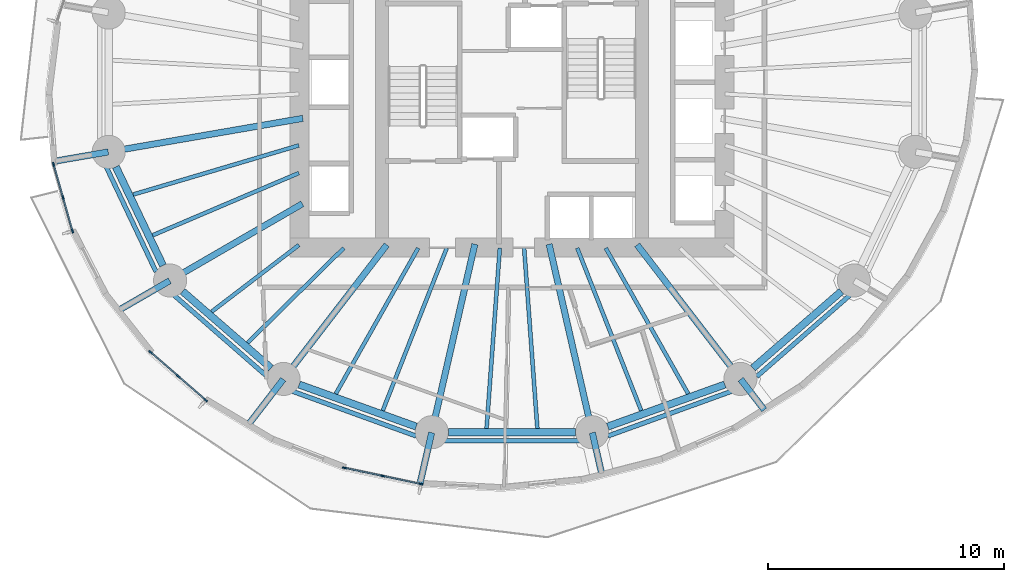
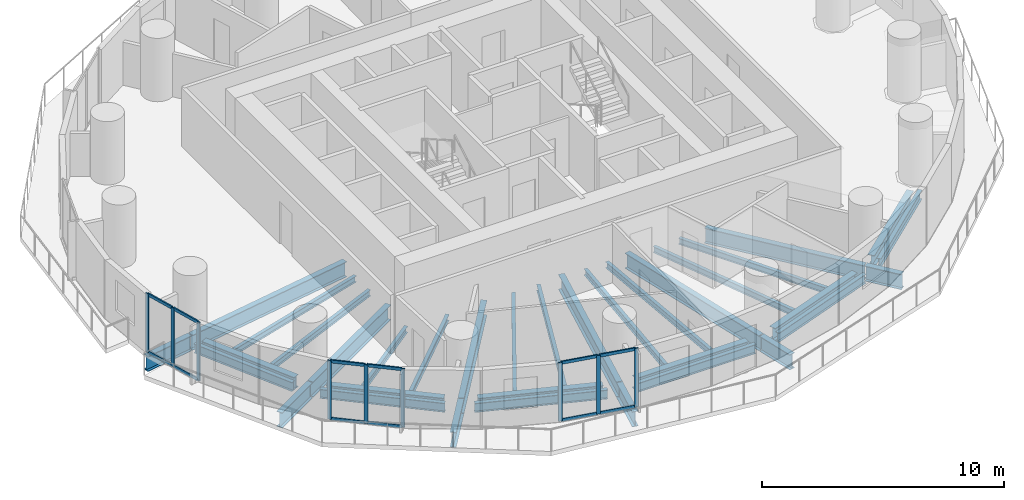
# One storey, part 2 of 13: 34 beams, 21 members, 3 elements without a shape of their own.
"""IFC4 building model written with IfcOpenShell, lengths in metres."""

from ifc_helpers import new_model, si_unit, direction, frame, origin, origin_2d, place, context, subcontext, project, spatial, rectangle, i_section, extrude, material, material_profile, profile_set, type_object, element, aggregate, save


model = new_model("IFC4")

# Units and contexts
model_context = context("Model", 3, precision=1e-05, world=origin(), true_north=direction((0.0, 1.0)))
body_context = subcontext(model_context, "Body", "Model", "MODEL_VIEW")
ifc_project = project(units=[si_unit("LENGTHUNIT", "METRE"), si_unit("AREAUNIT", "SQUARE_METRE"), si_unit("VOLUMEUNIT", "CUBIC_METRE"), si_unit("PLANEANGLEUNIT", "RADIAN"), si_unit("MASSUNIT", "GRAM", prefix="KILO")], contexts=[model_context])

# Site, building, storey
site_placement = place(None, origin())
site = spatial("IfcSite", under=ifc_project, at=site_placement, CompositionType="ELEMENT")
building_placement = place(site_placement, origin())
building = spatial("IfcBuilding", under=site, at=building_placement, Name="Veldorim Arch Residences", CompositionType="ELEMENT")
storey_placement = place(building_placement, frame((0.0, 0.0, 47.199951171875)))
storey = spatial("IfcBuildingStorey", under=building, at=storey_placement, Name="L13", CompositionType="ELEMENT", Elevation=47.199951171875)

# Beams
ifc_material_1 = material(Name="Steel S355", Category="steel")
ifc_material_profile_1 = material_profile(ifc_material_1, i_section(OverallWidth=0.30712890625, OverallDepth=0.6201171875, WebThickness=0.01416015625, FlangeThickness=0.023681640625, at=origin_2d()), Name="UB610x305x179")
ifc_profile_set_1 = profile_set([ifc_material_profile_1], Name="Steel S355")
beam_type_1 = type_object("IfcBeamType", Name="Structural Steel Beam UB610x305x179", PredefinedType="BEAM", material=ifc_profile_set_1)
beam_1_placement = place(storey_placement, frame((15.23583984375, 20.42236328125, -0.550048828125), z_axis=(0.430776422552, -0.902458682585, 0.0), x_axis=(0.902458682585, 0.430776422552, 0.0)))
element("IfcBeam", 1, at=beam_1_placement, inside=storey, type_object=beam_type_1, Name="L13 perimeter ring tie beam 09", PredefinedType="BEAM", context=body_context, shape_type="SweptSolid", body=[
    extrude(i_section(OverallWidth=0.30712890625, OverallDepth=0.6201171875, WebThickness=0.01416015625, FlangeThickness=0.023681640625, at=origin_2d()), origin(), (0.0, 0.0, 1.0), 4.63134765625),
])
beam_2_placement = place(storey_placement, frame((18.06103515625, 15.152099609375, -0.550048828125), z_axis=(0.755264734985, -0.655419850239, 0.0), x_axis=(0.655419850239, 0.755264734985, 0.0)))
element("IfcBeam", 2, at=beam_2_placement, inside=storey, type_object=beam_type_1, Name="L13 perimeter ring tie beam 10", PredefinedType="BEAM", context=body_context, shape_type="SweptSolid", body=[
    extrude(i_section(OverallWidth=0.30712890625, OverallDepth=0.6201171875, WebThickness=0.01416015625, FlangeThickness=0.023681640625, at=origin_2d()), origin(), (0.0, 0.0, 1.0), 4.956298828125),
])
beam_3_placement = place(storey_placement, frame((22.99169921875, 11.2080078125, -0.550048828125), z_axis=(0.941058113369, -0.338244922006, 0.0), x_axis=(0.338244922006, 0.941058113369, 0.0)))
element("IfcBeam", 3, at=beam_3_placement, inside=storey, type_object=beam_type_1, Name="L13 perimeter ring tie beam 11", PredefinedType="BEAM", context=body_context, shape_type="SweptSolid", body=[
    extrude(i_section(OverallWidth=0.30712890625, OverallDepth=0.6201171875, WebThickness=0.01416015625, FlangeThickness=0.023681640625, at=origin_2d()), origin(), (0.0, 0.0, 1.0), 5.265380859375),
])
beam_4_placement = place(storey_placement, frame((29.305419921875, 9.190185546875, -0.550048828125), z_axis=(1.0, 0.0, 0.0), x_axis=(0.0, 1.0, 0.0)))
element("IfcBeam", 4, at=beam_4_placement, inside=storey, type_object=beam_type_1, Name="L13 perimeter ring tie beam 12", PredefinedType="BEAM", context=body_context, shape_type="SweptSolid", body=[
    extrude(i_section(OverallWidth=0.30712890625, OverallDepth=0.6201171875, WebThickness=0.01416015625, FlangeThickness=0.023681640625, at=origin_2d()), origin(), (0.0, 0.0, 1.0), 5.38916015625),
])
beam_5_placement = place(storey_placement, frame((36.05322265625, 9.427001953125, -0.550048828125), z_axis=(0.941058113369, 0.338244922006, 0.0), x_axis=(-0.338244922006, 0.941058113369, 0.0)))
element("IfcBeam", 5, at=beam_5_placement, inside=storey, type_object=beam_type_1, Name="L13 perimeter ring tie beam 13", PredefinedType="BEAM", context=body_context, shape_type="SweptSolid", body=[
    extrude(i_section(OverallWidth=0.30712890625, OverallDepth=0.6201171875, WebThickness=0.01416015625, FlangeThickness=0.023681640625, at=origin_2d()), origin(), (0.0, 0.0, 1.0), 5.265380859375),
])
beam_6_placement = place(storey_placement, frame((42.195556640625, 11.903564453125, -0.550048828125), z_axis=(0.755264734985, 0.655419850239, 0.0), x_axis=(-0.655419850239, 0.755264734985, 0.0)))
element("IfcBeam", 6, at=beam_6_placement, inside=storey, type_object=beam_type_1, Name="L13 perimeter ring tie beam 14", PredefinedType="BEAM", context=body_context, shape_type="SweptSolid", body=[
    extrude(i_section(OverallWidth=0.30712890625, OverallDepth=0.6201171875, WebThickness=0.01416015625, FlangeThickness=0.023681640625, at=origin_2d()), origin(), (0.0, 0.0, 1.0), 4.956298828125),
])
ifc_material_2 = material(Name="Steel S355", Category="steel")
ifc_material_profile_2 = material_profile(ifc_material_2, i_section(OverallWidth=0.26806640625, OverallDepth=0.769775390625, WebThickness=0.015625, FlangeThickness=0.025390625, at=origin_2d()), Name="UB762x267x197")
ifc_profile_set_2 = profile_set([ifc_material_profile_2], Name="Steel S355")
beam_type_2 = type_object("IfcBeamType", Name="Structural Steel GIRDER UB762x267x197", PredefinedType="USERDEFINED", material=ifc_profile_set_2)
beam_7_placement = place(storey_placement, frame((23.147705078125, 22.471923828125, -0.624755859375), z_axis=(-0.985427548249, -0.170095699979, 0.0), x_axis=(0.170095699979, -0.985427548249, 0.0)))
element("IfcBeam", 7, at=beam_7_placement, inside=storey, type_object=beam_type_2, Name="L13 radial floor girder 09", ObjectType="GIRDER", PredefinedType="USERDEFINED", context=body_context, shape_type="SweptSolid", body=[
    extrude(i_section(OverallWidth=0.26806640625, OverallDepth=0.769775390625, WebThickness=0.015625, FlangeThickness=0.025390625, at=origin_2d()), origin(), (0.0, 0.0, 1.0), 8.314697265625),
])
beam_8_placement = place(storey_placement, frame((14.91455078125, 21.05078125, -0.624755859375), z_axis=(-0.98542353719, -0.170118935902, 0.0), x_axis=(0.170118935902, -0.98542353719, 0.0)))
element("IfcBeam", 8, at=beam_8_placement, inside=storey, type_object=beam_type_2, Name="L13 radial edge cantilever girder 09", ObjectType="GIRDER", PredefinedType="USERDEFINED", context=body_context, shape_type="SweptSolid", body=[
    extrude(i_section(OverallWidth=0.26806640625, OverallDepth=0.769775390625, WebThickness=0.015625, FlangeThickness=0.025390625, at=origin_2d()), origin(), (0.0, 0.0, 1.0), 2.35205078125),
])
beam_9_placement = place(storey_placement, frame((23.1298828125, 18.8564453125, -0.624755859375), z_axis=(-0.865088348752, -0.501619525989, 0.0), x_axis=(0.501619525989, -0.865088348752, 0.0)))
element("IfcBeam", 9, at=beam_9_placement, inside=storey, type_object=beam_type_2, Name="L13 radial floor girder 10", ObjectType="GIRDER", PredefinedType="USERDEFINED", context=body_context, shape_type="SweptSolid", body=[
    extrude(i_section(OverallWidth=0.26806640625, OverallDepth=0.769775390625, WebThickness=0.015625, FlangeThickness=0.025390625, at=origin_2d()), origin(), (0.0, 0.0, 1.0), 6.4501953125),
])
beam_10_placement = place(storey_placement, frame((17.51513671875, 15.600830078125, -0.624755859375), z_axis=(-0.86507809522, -0.501637208718, 0.0), x_axis=(0.501637208718, -0.86507809522, 0.0)))
element("IfcBeam", 10, at=beam_10_placement, inside=storey, type_object=beam_type_2, Name="L13 radial edge cantilever girder 10", ObjectType="GIRDER", PredefinedType="USERDEFINED", context=body_context, shape_type="SweptSolid", body=[
    extrude(i_section(OverallWidth=0.26806640625, OverallDepth=0.769775390625, WebThickness=0.015625, FlangeThickness=0.025390625, at=origin_2d()), origin(), (0.0, 0.0, 1.0), 2.52978515625),
])
beam_11_placement = place(storey_placement, frame((26.701904296875, 17.118896484375, -0.624755859375), z_axis=(-0.610082439157, -0.792337943956, 0.0), x_axis=(0.792337943956, -0.610082439157, 0.0)))
element("IfcBeam", 11, at=beam_11_placement, inside=storey, type_object=beam_type_2, Name="L13 radial floor girder 11", ObjectType="GIRDER", PredefinedType="USERDEFINED", context=body_context, shape_type="SweptSolid", body=[
    extrude(i_section(OverallWidth=0.26806640625, OverallDepth=0.769775390625, WebThickness=0.015625, FlangeThickness=0.025390625, at=origin_2d()), origin(), (0.0, 0.0, 1.0), 7.14111328125),
])
beam_12_placement = place(storey_placement, frame((22.32080078125, 11.428955078125, -0.624755859375), z_axis=(-0.609999263859, -0.792401980116, 0.0), x_axis=(0.792401980116, -0.609999263859, 0.0)))
element("IfcBeam", 12, at=beam_12_placement, inside=storey, type_object=beam_type_2, Name="L13 radial edge cantilever girder 11", ObjectType="GIRDER", PredefinedType="USERDEFINED", context=body_context, shape_type="SweptSolid", body=[
    extrude(i_section(OverallWidth=0.26806640625, OverallDepth=0.769775390625, WebThickness=0.015625, FlangeThickness=0.025390625, at=origin_2d()), origin(), (0.0, 0.0, 1.0), 2.453369140625),
])
beam_13_placement = place(storey_placement, frame((30.428955078125, 17.146240234375, -0.624755859375), z_axis=(-0.223411766201, -0.974724157248, 0.0), x_axis=(0.974724157248, -0.223411766201, 0.0)))
element("IfcBeam", 13, at=beam_13_placement, inside=storey, type_object=beam_type_2, Name="L13 radial floor girder 12", ObjectType="GIRDER", PredefinedType="USERDEFINED", context=body_context, shape_type="SweptSolid", body=[
    extrude(i_section(OverallWidth=0.26806640625, OverallDepth=0.769775390625, WebThickness=0.015625, FlangeThickness=0.025390625, at=origin_2d()), origin(), (0.0, 0.0, 1.0), 8.142333984375),
])
beam_14_placement = place(storey_placement, frame((28.600830078125, 9.170654296875, -0.624755859375), z_axis=(-0.223367414268, -0.974734321876, 0.0), x_axis=(0.974734321876, -0.223367414268, 0.0)))
element("IfcBeam", 14, at=beam_14_placement, inside=storey, type_object=beam_type_2, Name="L13 radial edge cantilever girder 12", ObjectType="GIRDER", PredefinedType="USERDEFINED", context=body_context, shape_type="SweptSolid", body=[
    extrude(i_section(OverallWidth=0.26806640625, OverallDepth=0.769775390625, WebThickness=0.015625, FlangeThickness=0.025390625, at=origin_2d()), origin(), (0.0, 0.0, 1.0), 2.211181640625),
])
beam_15_placement = place(storey_placement, frame((33.571044921875, 17.146240234375, -0.624755859375), z_axis=(0.223411766201, -0.974724157248, 0.0), x_axis=(0.974724157248, 0.223411766201, 0.0)))
element("IfcBeam", 15, at=beam_15_placement, inside=storey, type_object=beam_type_2, Name="L13 radial floor girder 13", ObjectType="GIRDER", PredefinedType="USERDEFINED", context=body_context, shape_type="SweptSolid", body=[
    extrude(i_section(OverallWidth=0.26806640625, OverallDepth=0.769775390625, WebThickness=0.015625, FlangeThickness=0.025390625, at=origin_2d()), origin(), (0.0, 0.0, 1.0), 8.142333984375),
])
beam_16_placement = place(storey_placement, frame((35.399169921875, 9.170654296875, -0.624755859375), z_axis=(0.223378778819, -0.974731717537, 0.0), x_axis=(0.974731717537, 0.223378778819, 0.0)))
element("IfcBeam", 16, at=beam_16_placement, inside=storey, type_object=beam_type_2, Name="L13 radial edge cantilever girder 13", ObjectType="GIRDER", PredefinedType="USERDEFINED", context=body_context, shape_type="SweptSolid", body=[
    extrude(i_section(OverallWidth=0.26806640625, OverallDepth=0.769775390625, WebThickness=0.015625, FlangeThickness=0.025390625, at=origin_2d()), origin(), (0.0, 0.0, 1.0), 1.8427734375),
])
beam_17_placement = place(storey_placement, frame((37.298095703125, 17.118896484375, -0.624755859375), z_axis=(0.610082439157, -0.792337943956, 0.0), x_axis=(0.792337943956, 0.610082439157, 0.0)))
element("IfcBeam", 17, at=beam_17_placement, inside=storey, type_object=beam_type_2, Name="L13 radial floor girder 14", ObjectType="GIRDER", PredefinedType="USERDEFINED", context=body_context, shape_type="SweptSolid", body=[
    extrude(i_section(OverallWidth=0.26806640625, OverallDepth=0.769775390625, WebThickness=0.015625, FlangeThickness=0.025390625, at=origin_2d()), origin(), (0.0, 0.0, 1.0), 7.14111328125),
])
beam_18_placement = place(storey_placement, frame((41.67919921875, 11.428955078125, -0.624755859375), z_axis=(0.610020580693, -0.792385569739, 0.0), x_axis=(0.792385569739, 0.610020580693, 0.0)))
element("IfcBeam", 18, at=beam_18_placement, inside=storey, type_object=beam_type_2, Name="L13 radial edge cantilever girder 14", ObjectType="GIRDER", PredefinedType="USERDEFINED", context=body_context, shape_type="SweptSolid", body=[
    extrude(i_section(OverallWidth=0.26806640625, OverallDepth=0.769775390625, WebThickness=0.015625, FlangeThickness=0.025390625, at=origin_2d()), origin(), (0.0, 0.0, 1.0), 1.63720703125),
])
ifc_material_3 = material(Name="Steel S355", Category="steel")
ifc_material_profile_3 = material_profile(ifc_material_3, i_section(OverallWidth=0.165771484375, OverallDepth=0.306640625, WebThickness=0.006591796875, FlangeThickness=0.01171875, at=origin_2d()), Name="UB305x165x46")
ifc_profile_set_3 = profile_set([ifc_material_profile_3], Name="Steel S355")
beam_type_3 = type_object("IfcBeamType", Name="Structural Steel Joist UB305x165x46", PredefinedType="JOIST", material=ifc_profile_set_3)
beam_19_placement = place(storey_placement, frame((22.980712890625, 21.32666015625, -0.393310546875), z_axis=(-0.958766778771, -0.284194060325, 0.0), x_axis=(0.284194060325, -0.958766778771, 0.0)))
element("IfcBeam", 19, at=beam_19_placement, inside=storey, type_object=beam_type_3, Name="L13 secondary radial floor joist 09-1", PredefinedType="JOIST", context=body_context, shape_type="SweptSolid", body=[
    extrude(i_section(OverallWidth=0.165771484375, OverallDepth=0.306640625, WebThickness=0.006591796875, FlangeThickness=0.01171875, at=origin_2d()), origin(), (0.0, 0.0, 1.0), 7.3115234375),
])
beam_20_placement = place(storey_placement, frame((22.981689453125, 20.15869140625, -0.393310546875), z_axis=(-0.920032948668, -0.391841005213, 0.0), x_axis=(0.391841005213, -0.920032948668, 0.0)))
element("IfcBeam", 20, at=beam_20_placement, inside=storey, type_object=beam_type_3, Name="L13 secondary radial floor joist 09-2", PredefinedType="JOIST", context=body_context, shape_type="SweptSolid", body=[
    extrude(i_section(OverallWidth=0.165771484375, OverallDepth=0.306640625, WebThickness=0.006591796875, FlangeThickness=0.01171875, at=origin_2d()), origin(), (0.0, 0.0, 1.0), 6.723388671875),
])
beam_21_placement = place(storey_placement, frame((22.984130859375, 17.1123046875, -0.393310546875), z_axis=(-0.794666431166, -0.607046343517, 0.0), x_axis=(0.607046343517, -0.794666431166, 0.0)))
element("IfcBeam", 21, at=beam_21_placement, inside=storey, type_object=beam_type_3, Name="L13 secondary radial floor joist 10-1", PredefinedType="JOIST", context=body_context, shape_type="SweptSolid", body=[
    extrude(i_section(OverallWidth=0.165771484375, OverallDepth=0.306640625, WebThickness=0.006591796875, FlangeThickness=0.01171875, at=origin_2d()), origin(), (0.0, 0.0, 1.0), 4.646728515625),
])
beam_22_placement = place(storey_placement, frame((24.885009765625, 16.986083984375, -0.393310546875), z_axis=(-0.712129078446, -0.702048556463, 0.0), x_axis=(0.702048556463, -0.712129078446, 0.0)))
element("IfcBeam", 22, at=beam_22_placement, inside=storey, type_object=beam_type_3, Name="L13 secondary radial floor joist 10-2", PredefinedType="JOIST", context=body_context, shape_type="SweptSolid", body=[
    extrude(i_section(OverallWidth=0.165771484375, OverallDepth=0.306640625, WebThickness=0.006591796875, FlangeThickness=0.01171875, at=origin_2d()), origin(), (0.0, 0.0, 1.0), 5.715576171875),
])
beam_23_placement = place(storey_placement, frame((28.03125, 16.982666015625, -0.393310546875), z_axis=(-0.492292335352, -0.870429926274, 0.0), x_axis=(0.870429926274, -0.492292335352, 0.0)))
element("IfcBeam", 23, at=beam_23_placement, inside=storey, type_object=beam_type_3, Name="L13 secondary radial floor joist 11-1", PredefinedType="JOIST", context=body_context, shape_type="SweptSolid", body=[
    extrude(i_section(OverallWidth=0.165771484375, OverallDepth=0.306640625, WebThickness=0.006591796875, FlangeThickness=0.01171875, at=origin_2d()), origin(), (0.0, 0.0, 1.0), 7.083251953125),
])
beam_24_placement = place(storey_placement, frame((29.237548828125, 16.9814453125, -0.393310546875), z_axis=(-0.366229833858, -0.930524426758, 0.0), x_axis=(0.930524426758, -0.366229833858, 0.0)))
element("IfcBeam", 24, at=beam_24_placement, inside=storey, type_object=beam_type_3, Name="L13 secondary radial floor joist 11-2", PredefinedType="JOIST", context=body_context, shape_type="SweptSolid", body=[
    extrude(i_section(OverallWidth=0.165771484375, OverallDepth=0.306640625, WebThickness=0.006591796875, FlangeThickness=0.01171875, at=origin_2d()), origin(), (0.0, 0.0, 1.0), 7.3896484375),
])
for number, where, z_axis, x_axis, name in (
    (25, (31.485107421875, 16.97998046875, -0.393310546875), (-0.073167620373, -0.997319657547, 0.0), (0.997319657547, -0.073167620373, 0.0), "L13 secondary radial floor joist 12-1"),
    (26, (32.514892578125, 16.97998046875, -0.393310546875), (0.073167620373, -0.997319657547, 0.0), (0.997319657547, 0.073167620373, 0.0), "L13 secondary radial floor joist 12-2"),
):
    element("IfcBeam", number, at=place(storey_placement, frame(where, z_axis=z_axis, x_axis=x_axis)), inside=storey, type_object=beam_type_3, Name=name, PredefinedType="JOIST", context=body_context, shape_type="SweptSolid", body=[
        extrude(i_section(OverallWidth=0.165771484375, OverallDepth=0.306640625, WebThickness=0.006591796875, FlangeThickness=0.01171875, at=origin_2d()), origin(), (0.0, 0.0, 1.0), 7.651123046875),
    ])
beam_25_placement = place(storey_placement, frame((34.762451171875, 16.9814453125, -0.393310546875), z_axis=(0.366229833858, -0.930524426758, 0.0), x_axis=(0.930524426758, 0.366229833858, 0.0)))
element("IfcBeam", 27, at=beam_25_placement, inside=storey, type_object=beam_type_3, Name="L13 secondary radial floor joist 13-1", PredefinedType="JOIST", context=body_context, shape_type="SweptSolid", body=[
    extrude(i_section(OverallWidth=0.165771484375, OverallDepth=0.306640625, WebThickness=0.006591796875, FlangeThickness=0.01171875, at=origin_2d()), origin(), (0.0, 0.0, 1.0), 7.3896484375),
])
beam_26_placement = place(storey_placement, frame((35.96875, 16.982666015625, -0.393310546875), z_axis=(0.492292335352, -0.870429926274, 0.0), x_axis=(0.870429926274, 0.492292335352, 0.0)))
element("IfcBeam", 28, at=beam_26_placement, inside=storey, type_object=beam_type_3, Name="L13 secondary radial floor joist 13-2", PredefinedType="JOIST", context=body_context, shape_type="SweptSolid", body=[
    extrude(i_section(OverallWidth=0.165771484375, OverallDepth=0.306640625, WebThickness=0.006591796875, FlangeThickness=0.01171875, at=origin_2d()), origin(), (0.0, 0.0, 1.0), 7.083251953125),
])
ifc_material_4 = material(Name="Steel S355", Category="steel")
ifc_material_profile_4 = material_profile(ifc_material_4, i_section(OverallWidth=0.19140625, OverallDepth=0.4599609375, WebThickness=0.010009765625, FlangeThickness=0.01611328125, at=origin_2d()), Name="UB457x191x82")
ifc_profile_set_4 = profile_set([ifc_material_profile_4], Name="Steel S355")
beam_type_4 = type_object("IfcBeamType", Name="Structural Steel Spandrel UB457x191x82", PredefinedType="SPANDREL", material=ifc_profile_set_4)
beam_27_placement = place(storey_placement, frame((14.823974609375, 20.43310546875, -0.489990234375), z_axis=(0.428847831425, -0.903376741721, 0.0), x_axis=(0.903376741721, 0.428847831425, 0.0)))
element("IfcBeam", 29, at=beam_27_placement, inside=storey, type_object=beam_type_4, Name="L13 perimeter chord spandrel beam 09", PredefinedType="SPANDREL", context=body_context, shape_type="SweptSolid", body=[
    extrude(i_section(OverallWidth=0.19140625, OverallDepth=0.4599609375, WebThickness=0.010009765625, FlangeThickness=0.01611328125, at=origin_2d()), origin(), (0.0, 0.0, 1.0), 4.932861328125),
])
beam_28_placement = place(storey_placement, frame((17.667724609375, 15.01513671875, -0.489990234375), z_axis=(0.75323350982, -0.657753205758, 0.0), x_axis=(0.657753205758, 0.75323350982, 0.0)))
element("IfcBeam", 30, at=beam_28_placement, inside=storey, type_object=beam_type_4, Name="L13 perimeter chord spandrel beam 10", PredefinedType="SPANDREL", context=body_context, shape_type="SweptSolid", body=[
    extrude(i_section(OverallWidth=0.19140625, OverallDepth=0.4599609375, WebThickness=0.010009765625, FlangeThickness=0.01611328125, at=origin_2d()), origin(), (0.0, 0.0, 1.0), 5.27001953125),
])
beam_29_placement = place(storey_placement, frame((22.680419921875, 10.93408203125, -0.489990234375), z_axis=(0.940268980555, -0.340432437064, 0.0), x_axis=(0.340432437064, 0.940268980555, 0.0)))
element("IfcBeam", 31, at=beam_29_placement, inside=storey, type_object=beam_type_4, Name="L13 perimeter chord spandrel beam 11", PredefinedType="SPANDREL", context=body_context, shape_type="SweptSolid", body=[
    extrude(i_section(OverallWidth=0.19140625, OverallDepth=0.4599609375, WebThickness=0.010009765625, FlangeThickness=0.01611328125, at=origin_2d()), origin(), (0.0, 0.0, 1.0), 5.59521484375),
])
beam_30_placement = place(storey_placement, frame((29.136474609375, 8.819580078125, -0.489990234375), z_axis=(1.0, 0.0, 0.0), x_axis=(0.0, 1.0, 0.0)))
element("IfcBeam", 32, at=beam_30_placement, inside=storey, type_object=beam_type_4, Name="L13 perimeter chord spandrel beam 12", PredefinedType="SPANDREL", context=body_context, shape_type="SweptSolid", body=[
    extrude(i_section(OverallWidth=0.19140625, OverallDepth=0.4599609375, WebThickness=0.010009765625, FlangeThickness=0.01611328125, at=origin_2d()), origin(), (0.0, 0.0, 1.0), 5.72705078125),
])
beam_31_placement = place(storey_placement, frame((36.05859375, 9.029296875, -0.489990234375), z_axis=(0.940268980555, 0.340432437064, 0.0), x_axis=(-0.340432437064, 0.940268980555, 0.0)))
element("IfcBeam", 33, at=beam_31_placement, inside=storey, type_object=beam_type_4, Name="L13 perimeter chord spandrel beam 13", PredefinedType="SPANDREL", context=body_context, shape_type="SweptSolid", body=[
    extrude(i_section(OverallWidth=0.19140625, OverallDepth=0.4599609375, WebThickness=0.010009765625, FlangeThickness=0.01611328125, at=origin_2d()), origin(), (0.0, 0.0, 1.0), 5.59521484375),
])
beam_32_placement = place(storey_placement, frame((42.36279296875, 11.548828125, -0.489990234375), z_axis=(0.75323350982, 0.657753205758, 0.0), x_axis=(-0.657753205758, 0.75323350982, 0.0)))
element("IfcBeam", 34, at=beam_32_placement, inside=storey, type_object=beam_type_4, Name="L13 perimeter chord spandrel beam 14", PredefinedType="SPANDREL", context=body_context, shape_type="SweptSolid", body=[
    extrude(i_section(OverallWidth=0.19140625, OverallDepth=0.4599609375, WebThickness=0.010009765625, FlangeThickness=0.01611328125, at=origin_2d()), origin(), (0.0, 0.0, 1.0), 5.27001953125),
])

# Curtain wall, members
ifc_material_5 = material(Name="Aluminium", Category="aluminium")
curtain_wall_type = type_object("IfcCurtainWallType", Name="Zone 1 Acoustic Low-E Unitised Curtain Wall", PredefinedType="NOTDEFINED", material=ifc_material_5)
curtain_wall_1_placement = place(storey_placement, origin())
curtain_wall_1 = element("IfcCurtainWall", 35, at=curtain_wall_1_placement, inside=storey, type_object=curtain_wall_type, Name="L13 unitised curtain wall bay 19", PredefinedType="NOTDEFINED")
ifc_material_6 = material(Name="Aluminium", Category="aluminium")
ifc_material_profile_5 = material_profile(ifc_material_6, rectangle(XDim=0.06494140625, YDim=0.175048828125, at=origin_2d()), Name="ALU_MUL_65x175")
ifc_profile_set_5 = profile_set([ifc_material_profile_5], Name="Aluminium")
member_type_1 = type_object("IfcMemberType", Name="Zone 1 Acoustic Low-E Unitised Curtain Wall Mullion 65x175", PredefinedType="MULLION", material=ifc_profile_set_5)
member_1_placement = place(storey_placement, frame((13.40234375, 17.702392578125, 0.0), z_axis=(0.0, 0.0, 1.0), x_axis=(-0.962071370887, -0.27279786898, 0.0)))
member_1 = element("IfcMember", 36, at=member_1_placement, type_object=member_type_1, Name="CW-Z1 mullion 1", PredefinedType="MULLION", context=body_context, shape_type="SweptSolid", body=[
    extrude(rectangle(XDim=0.06494140625, YDim=0.175048828125, at=origin_2d()), origin(), (0.0, 0.0, 1.0), 2.9599609375),
])
member_2_placement = place(storey_placement, frame((13.001708984375, 19.114990234375, 0.0), z_axis=(0.0, 0.0, 1.0), x_axis=(-0.962071370887, -0.27279786898, 0.0)))
member_2 = element("IfcMember", 37, at=member_2_placement, type_object=member_type_1, Name="CW-Z1 mullion 2", PredefinedType="MULLION", context=body_context, shape_type="SweptSolid", body=[
    extrude(rectangle(XDim=0.06494140625, YDim=0.175048828125, at=origin_2d()), origin(), (0.0, 0.0, 1.0), 2.9599609375),
])
member_3_placement = place(storey_placement, frame((12.60107421875, 20.52783203125, 0.0), z_axis=(0.0, 0.0, 1.0), x_axis=(-0.962071370887, -0.27279786898, 0.0)))
member_3 = element("IfcMember", 38, at=member_3_placement, type_object=member_type_1, Name="CW-Z1 mullion 3", PredefinedType="MULLION", context=body_context, shape_type="SweptSolid", body=[
    extrude(rectangle(XDim=0.06494140625, YDim=0.175048828125, at=origin_2d()), origin(), (0.0, 0.0, 1.0), 2.9599609375),
])

curtain_wall_2_placement = place(storey_placement, origin())
curtain_wall_2 = element("IfcCurtainWall", 39, at=curtain_wall_2_placement, inside=storey, type_object=curtain_wall_type, Name="L13 unitised curtain wall bay 22", PredefinedType="NOTDEFINED")
member_4_placement = place(storey_placement, frame((19.0361328125, 10.54931640625, 0.0), z_axis=(0.0, 0.0, 1.0), x_axis=(-0.656718522267, -0.754135785195, 0.0)))
member_4 = element("IfcMember", 40, at=member_4_placement, type_object=member_type_1, Name="CW-Z1 mullion 1", PredefinedType="MULLION", context=body_context, shape_type="SweptSolid", body=[
    extrude(rectangle(XDim=0.06494140625, YDim=0.175048828125, at=origin_2d()), origin(), (0.0, 0.0, 1.0), 2.9599609375),
])
member_5_placement = place(storey_placement, frame((17.87109375, 11.563720703125, 0.0), z_axis=(0.0, 0.0, 1.0), x_axis=(-0.656718522267, -0.754135785195, 0.0)))
member_5 = element("IfcMember", 41, at=member_5_placement, type_object=member_type_1, Name="CW-Z1 mullion 2", PredefinedType="MULLION", context=body_context, shape_type="SweptSolid", body=[
    extrude(rectangle(XDim=0.06494140625, YDim=0.175048828125, at=origin_2d()), origin(), (0.0, 0.0, 1.0), 2.9599609375),
])
member_6_placement = place(storey_placement, frame((16.706298828125, 12.578125, 0.0), z_axis=(0.0, 0.0, 1.0), x_axis=(-0.656718522267, -0.754135785195, 0.0)))
member_6 = element("IfcMember", 42, at=member_6_placement, type_object=member_type_1, Name="CW-Z1 mullion 3", PredefinedType="MULLION", context=body_context, shape_type="SweptSolid", body=[
    extrude(rectangle(XDim=0.06494140625, YDim=0.175048828125, at=origin_2d()), origin(), (0.0, 0.0, 1.0), 2.9599609375),
])

curtain_wall_3_placement = place(storey_placement, origin())
curtain_wall_3 = element("IfcCurtainWall", 43, at=curtain_wall_3_placement, inside=storey, type_object=curtain_wall_type, Name="L13 unitised curtain wall bay 25", PredefinedType="NOTDEFINED")
member_7_placement = place(storey_placement, frame((28.148193359375, 6.996337890625, 0.0), z_axis=(0.0, 0.0, 1.0), x_axis=(-0.207442343439, -0.978247245919, 0.0)))
member_7 = element("IfcMember", 44, at=member_7_placement, type_object=member_type_1, Name="CW-Z1 mullion 1", PredefinedType="MULLION", context=body_context, shape_type="SweptSolid", body=[
    extrude(rectangle(XDim=0.06494140625, YDim=0.175048828125, at=origin_2d()), origin(), (0.0, 0.0, 1.0), 2.9599609375),
])
member_8_placement = place(storey_placement, frame((26.529296875, 7.339599609375, 0.0), z_axis=(0.0, 0.0, 1.0), x_axis=(-0.207442343439, -0.978247245919, 0.0)))
member_8 = element("IfcMember", 45, at=member_8_placement, type_object=member_type_1, Name="CW-Z1 mullion 2", PredefinedType="MULLION", context=body_context, shape_type="SweptSolid", body=[
    extrude(rectangle(XDim=0.06494140625, YDim=0.175048828125, at=origin_2d()), origin(), (0.0, 0.0, 1.0), 2.9599609375),
])
member_9_placement = place(storey_placement, frame((24.910400390625, 7.682861328125, 0.0), z_axis=(0.0, 0.0, 1.0), x_axis=(-0.207442343439, -0.978247245919, 0.0)))
member_9 = element("IfcMember", 46, at=member_9_placement, type_object=member_type_1, Name="CW-Z1 mullion 3", PredefinedType="MULLION", context=body_context, shape_type="SweptSolid", body=[
    extrude(rectangle(XDim=0.06494140625, YDim=0.175048828125, at=origin_2d()), origin(), (0.0, 0.0, 1.0), 2.9599609375),
])

# Member
ifc_material_7 = material(Name="Aluminium", Category="aluminium")
ifc_material_profile_6 = material_profile(ifc_material_7, rectangle(XDim=0.06494140625, YDim=0.14990234375, at=origin_2d()), Name="ALU_TRN_65x150")
ifc_profile_set_6 = profile_set([ifc_material_profile_6], Name="Aluminium")
member_type_2 = type_object("IfcMemberType", Name="Zone 1 Acoustic Low-E Unitised Curtain Wall Transom 65x150", PredefinedType="USERDEFINED", material=ifc_profile_set_6)
member_10_placement = place(storey_placement, frame((13.393310546875, 17.733642578125, 0.032470703125), z_axis=(-0.272790453274, 0.962073473599, 0.0), x_axis=(-0.962073473599, -0.272790453274, 0.0)))
member_10 = element("IfcMember", 47, at=member_10_placement, type_object=member_type_2, Name="CW-Z1 transom 1.1", ObjectType="TRANSOM", PredefinedType="USERDEFINED", context=body_context, shape_type="SweptSolid", body=[
    extrude(rectangle(XDim=0.06494140625, YDim=0.14990234375, at=origin_2d()), origin(), (0.0, 0.0, 1.0), 1.4033203125),
])

member_11_placement = place(storey_placement, frame((13.393310546875, 17.733642578125, 2.927490234375), z_axis=(-0.272790453274, 0.962073473599, 0.0), x_axis=(-0.962073473599, -0.272790453274, 0.0)))
member_11 = element("IfcMember", 48, at=member_11_placement, type_object=member_type_2, Name="CW-Z1 transom 1.2", ObjectType="TRANSOM", PredefinedType="USERDEFINED", context=body_context, shape_type="SweptSolid", body=[
    extrude(rectangle(XDim=0.06494140625, YDim=0.14990234375, at=origin_2d()), origin(), (0.0, 0.0, 1.0), 1.4033203125),
])

member_12_placement = place(storey_placement, frame((12.99267578125, 19.146484375, 0.032470703125), z_axis=(-0.272790453274, 0.962073473599, 0.0), x_axis=(-0.962073473599, -0.272790453274, 0.0)))
member_12 = element("IfcMember", 49, at=member_12_placement, type_object=member_type_2, Name="CW-Z1 transom 2.1", ObjectType="TRANSOM", PredefinedType="USERDEFINED", context=body_context, shape_type="SweptSolid", body=[
    extrude(rectangle(XDim=0.06494140625, YDim=0.14990234375, at=origin_2d()), origin(), (0.0, 0.0, 1.0), 1.4033203125),
])

member_13_placement = place(storey_placement, frame((12.99267578125, 19.146484375, 2.927490234375), z_axis=(-0.272790453274, 0.962073473599, 0.0), x_axis=(-0.962073473599, -0.272790453274, 0.0)))
member_13 = element("IfcMember", 50, at=member_13_placement, type_object=member_type_2, Name="CW-Z1 transom 2.2", ObjectType="TRANSOM", PredefinedType="USERDEFINED", context=body_context, shape_type="SweptSolid", body=[
    extrude(rectangle(XDim=0.06494140625, YDim=0.14990234375, at=origin_2d()), origin(), (0.0, 0.0, 1.0), 1.4033203125),
])

aggregate(curtain_wall_1, [member_1, member_2, member_3, member_10, member_11, member_12, member_13])

member_14_placement = place(storey_placement, frame((19.011474609375, 10.570556640625, 0.032470703125), z_axis=(-0.754107958252, 0.656750475677, 0.0), x_axis=(-0.656750475677, -0.754107958252, 0.0)))
member_14 = element("IfcMember", 51, at=member_14_placement, type_object=member_type_2, Name="CW-Z1 transom 1.1", ObjectType="TRANSOM", PredefinedType="USERDEFINED", context=body_context, shape_type="SweptSolid", body=[
    extrude(rectangle(XDim=0.06494140625, YDim=0.14990234375, at=origin_2d()), origin(), (0.0, 0.0, 1.0), 1.4794921875),
])

member_15_placement = place(storey_placement, frame((19.011474609375, 10.570556640625, 2.927490234375), z_axis=(-0.754107958252, 0.656750475677, 0.0), x_axis=(-0.656750475677, -0.754107958252, 0.0)))
member_15 = element("IfcMember", 52, at=member_15_placement, type_object=member_type_2, Name="CW-Z1 transom 1.2", ObjectType="TRANSOM", PredefinedType="USERDEFINED", context=body_context, shape_type="SweptSolid", body=[
    extrude(rectangle(XDim=0.06494140625, YDim=0.14990234375, at=origin_2d()), origin(), (0.0, 0.0, 1.0), 1.4794921875),
])

member_16_placement = place(storey_placement, frame((17.8466796875, 11.5849609375, 0.032470703125), z_axis=(-0.75409740977, 0.656762587682, 0.0), x_axis=(-0.656762587682, -0.75409740977, 0.0)))
member_16 = element("IfcMember", 53, at=member_16_placement, type_object=member_type_2, Name="CW-Z1 transom 2.1", ObjectType="TRANSOM", PredefinedType="USERDEFINED", context=body_context, shape_type="SweptSolid", body=[
    extrude(rectangle(XDim=0.06494140625, YDim=0.14990234375, at=origin_2d()), origin(), (0.0, 0.0, 1.0), 1.47998046875),
])

member_17_placement = place(storey_placement, frame((17.8466796875, 11.5849609375, 2.927490234375), z_axis=(-0.75409740977, 0.656762587682, 0.0), x_axis=(-0.656762587682, -0.75409740977, 0.0)))
member_17 = element("IfcMember", 54, at=member_17_placement, type_object=member_type_2, Name="CW-Z1 transom 2.2", ObjectType="TRANSOM", PredefinedType="USERDEFINED", context=body_context, shape_type="SweptSolid", body=[
    extrude(rectangle(XDim=0.06494140625, YDim=0.14990234375, at=origin_2d()), origin(), (0.0, 0.0, 1.0), 1.47998046875),
])

aggregate(curtain_wall_2, [member_4, member_5, member_6, member_14, member_15, member_16, member_17])

member_18_placement = place(storey_placement, frame((28.116455078125, 7.0029296875, 0.032470703125), z_axis=(-0.978247345961, 0.207441871667, 0.0), x_axis=(-0.207441871667, -0.978247345961, 0.0)))
member_18 = element("IfcMember", 55, at=member_18_placement, type_object=member_type_2, Name="CW-Z1 transom 1.1", ObjectType="TRANSOM", PredefinedType="USERDEFINED", context=body_context, shape_type="SweptSolid", body=[
    extrude(rectangle(XDim=0.06494140625, YDim=0.14990234375, at=origin_2d()), origin(), (0.0, 0.0, 1.0), 1.590087890625),
])

member_19_placement = place(storey_placement, frame((28.116455078125, 7.0029296875, 2.927490234375), z_axis=(-0.978247345961, 0.207441871667, 0.0), x_axis=(-0.207441871667, -0.978247345961, 0.0)))
member_19 = element("IfcMember", 56, at=member_19_placement, type_object=member_type_2, Name="CW-Z1 transom 1.2", ObjectType="TRANSOM", PredefinedType="USERDEFINED", context=body_context, shape_type="SweptSolid", body=[
    extrude(rectangle(XDim=0.06494140625, YDim=0.14990234375, at=origin_2d()), origin(), (0.0, 0.0, 1.0), 1.590087890625),
])

member_20_placement = place(storey_placement, frame((26.49755859375, 7.34619140625, 0.032470703125), z_axis=(-0.978247345961, 0.207441871667, 0.0), x_axis=(-0.207441871667, -0.978247345961, 0.0)))
member_20 = element("IfcMember", 57, at=member_20_placement, type_object=member_type_2, Name="CW-Z1 transom 2.1", ObjectType="TRANSOM", PredefinedType="USERDEFINED", context=body_context, shape_type="SweptSolid", body=[
    extrude(rectangle(XDim=0.06494140625, YDim=0.14990234375, at=origin_2d()), origin(), (0.0, 0.0, 1.0), 1.590087890625),
])

member_21_placement = place(storey_placement, frame((26.49755859375, 7.34619140625, 2.927490234375), z_axis=(-0.978247345961, 0.207441871667, 0.0), x_axis=(-0.207441871667, -0.978247345961, 0.0)))
member_21 = element("IfcMember", 58, at=member_21_placement, type_object=member_type_2, Name="CW-Z1 transom 2.2", ObjectType="TRANSOM", PredefinedType="USERDEFINED", context=body_context, shape_type="SweptSolid", body=[
    extrude(rectangle(XDim=0.06494140625, YDim=0.14990234375, at=origin_2d()), origin(), (0.0, 0.0, 1.0), 1.590087890625),
])

aggregate(curtain_wall_3, [member_7, member_8, member_9, member_18, member_19, member_20, member_21])

save(model, "model.ifc")
